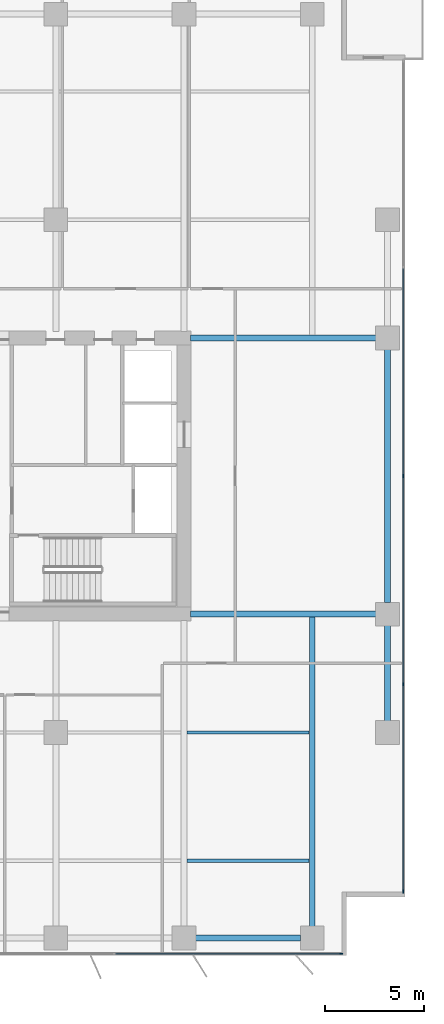
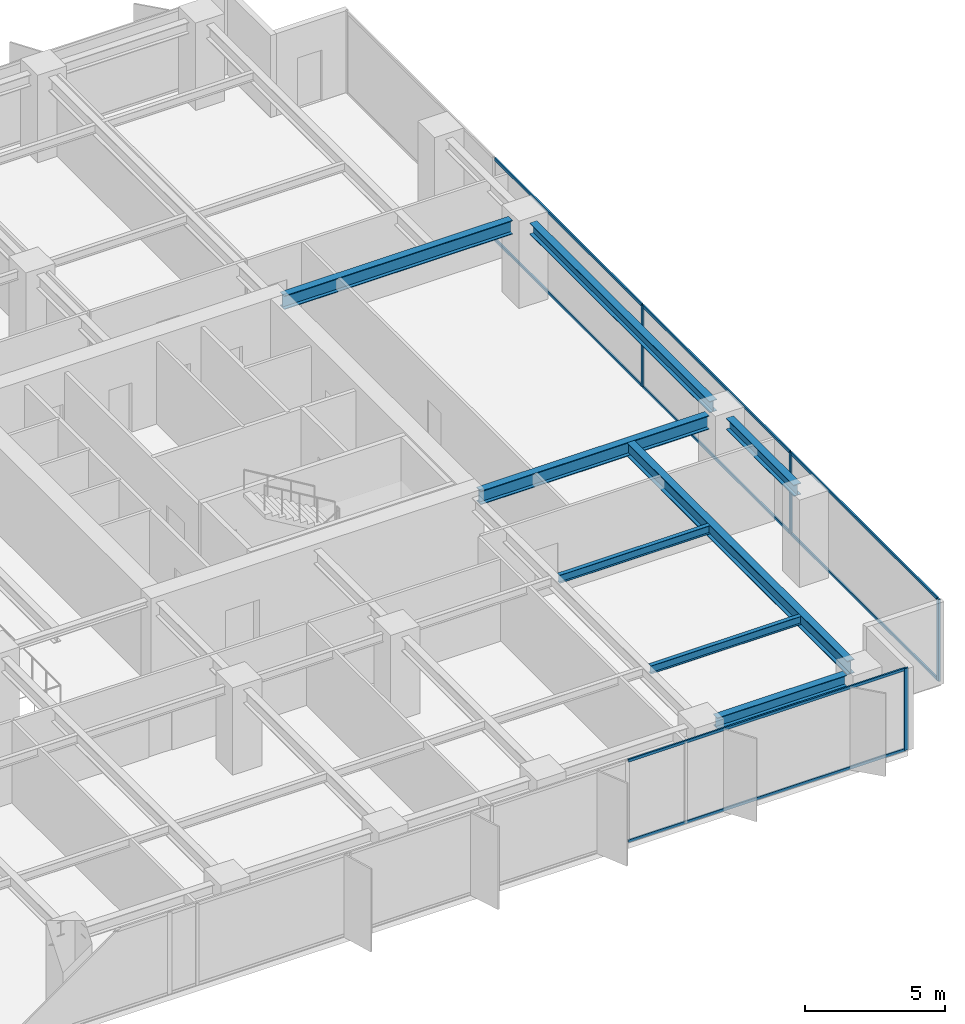
# One storey, part 10 of 20: 12 members, 8 beams, 2 elements without a shape of their own.
"""IFC4 building model written with IfcOpenShell, lengths in metres."""

from ifc_helpers import new_model, si_unit, direction, frame, origin, origin_2d, place, context, subcontext, project, spatial, rectangle, i_section, extrude, material, layer, layer_set, material_profile, profile_set, type_object, element, aggregate, save


model = new_model("IFC4")

# Units and contexts
model_context = context("Model", 3, precision=1e-05, world=origin(), true_north=direction((0.0, 1.0)))
body_context = subcontext(model_context, "Body", "Model", "MODEL_VIEW")
ifc_project = project(units=[si_unit("LENGTHUNIT", "METRE"), si_unit("AREAUNIT", "SQUARE_METRE"), si_unit("VOLUMEUNIT", "CUBIC_METRE"), si_unit("PLANEANGLEUNIT", "RADIAN"), si_unit("MASSUNIT", "GRAM", prefix="KILO")], contexts=[model_context])

# Site, building, storey
site_placement = place(None, origin())
site = spatial("IfcSite", under=ifc_project, at=site_placement, CompositionType="ELEMENT")
building_placement = place(site_placement, origin())
building = spatial("IfcBuilding", under=site, at=building_placement, Name="Putna Gate Headquarters", CompositionType="ELEMENT")
storey_placement = place(building_placement, frame((0.0, 0.0, 124.0)))
storey = spatial("IfcBuildingStorey", under=building, at=storey_placement, Name="L30", CompositionType="ELEMENT", Elevation=124.0)

# Beams
ifc_material_1 = material(Name="Steel S355J2", Category="steel")
ifc_material_profile_1 = material_profile(ifc_material_1, i_section(OverallWidth=0.300048828125, OverallDepth=0.60009765625, WebThickness=0.015380859375, FlangeThickness=0.030029296875, at=origin_2d()), Name="Steel S355J2")
ifc_profile_set_1 = profile_set([ifc_material_profile_1], Name="Steel S355J2")
beam_type_1 = type_object("IfcBeamType", Name="BM-GIRD-Z2-HEB600", PredefinedType="USERDEFINED", material=ifc_profile_set_1)
for number, where, z_axis, x_axis, name in (
    (1, (65.3349609375, 19.0, 3.264892578125), (1.0, 0.0, 0.0), (0.0, 1.0, 0.0), "L30 East Wing Girder Y19"),
    (2, (65.3349609375, 33.0, 3.264892578125), (1.0, 0.0, 0.0), (0.0, 1.0, 0.0), "L30 East Wing Girder Y33"),
):
    element("IfcBeam", number, at=place(storey_placement, frame(where, z_axis=z_axis, x_axis=x_axis)), inside=storey, type_object=beam_type_1, Name=name, ObjectType="GIRDER", PredefinedType="USERDEFINED", context=body_context, shape_type="SweptSolid", body=[
        extrude(i_section(OverallWidth=0.300048828125, OverallDepth=0.60009765625, WebThickness=0.015380859375, FlangeThickness=0.030029296875, at=origin_2d()), origin(), (0.0, 0.0, 1.0), 9.39697265625),
    ])
beam_1_placement = place(storey_placement, frame((71.5, 3.16796875, 3.264892578125), z_axis=(0.0, 1.0, 0.0), x_axis=(-1.0, 0.0, 0.0)))
element("IfcBeam", 3, at=beam_1_placement, inside=storey, type_object=beam_type_1, Name="L30 South Primary Girder X71", ObjectType="GIRDER", PredefinedType="USERDEFINED", context=body_context, shape_type="SweptSolid", body=[
    extrude(i_section(OverallWidth=0.300048828125, OverallDepth=0.60009765625, WebThickness=0.015380859375, FlangeThickness=0.030029296875, at=origin_2d()), origin(), (0.0, 0.0, 1.0), 15.820068359375),
])
ifc_material_profile_2 = material_profile(ifc_material_1, i_section(OverallWidth=0.169921875, OverallDepth=0.360107421875, WebThickness=0.008056640625, FlangeThickness=0.0126953125, at=origin_2d()), Name="Steel S355J2")
ifc_profile_set_2 = profile_set([ifc_material_profile_2], Name="Steel S355J2")
beam_type_2 = type_object("IfcBeamType", Name="BM-SEC-Z2-IPE360", PredefinedType="BEAM", material=ifc_profile_set_2)
for number, where, z_axis, x_axis, name in (
    (4, (65.154052734375, 6.5, 3.385009765625), (1.0, 0.0, 0.0), (0.0, 1.0, 0.0), "L30 South Secondary Beam 10"),
    (5, (65.154052734375, 13.0, 3.385009765625), (1.0, 0.0, 0.0), (0.0, 1.0, 0.0), "L30 South Secondary Beam 10"),
):
    element("IfcBeam", number, at=place(storey_placement, frame(where, z_axis=z_axis, x_axis=x_axis)), inside=storey, type_object=beam_type_2, Name=name, PredefinedType="BEAM", context=body_context, shape_type="SweptSolid", body=[
        extrude(i_section(OverallWidth=0.169921875, OverallDepth=0.360107421875, WebThickness=0.008056640625, FlangeThickness=0.0126953125, at=origin_2d()), origin(), (0.0, 0.0, 1.0), 6.19189453125),
    ])
ifc_material_profile_3 = material_profile(ifc_material_1, i_section(OverallWidth=0.300048828125, OverallDepth=0.489990234375, WebThickness=0.011962890625, FlangeThickness=0.02294921875, at=origin_2d()), Name="Steel S355J2")
ifc_profile_set_3 = profile_set([ifc_material_profile_3], Name="Steel S355J2")
beam_type_3 = type_object("IfcBeamType", Name="BM-SPAN-Z2-HEA500", PredefinedType="SPANDREL", material=ifc_profile_set_3)
beam_2_placement = place(storey_placement, frame((65.587890625, 2.580078125, 3.320068359375), z_axis=(1.0, 0.0, 0.0), x_axis=(0.0, 1.0, 0.0)))
element("IfcBeam", 6, at=beam_2_placement, inside=storey, type_object=beam_type_3, Name="L30 S Perimeter Spandrel 10", PredefinedType="SPANDREL", context=body_context, shape_type="SweptSolid", body=[
    extrude(i_section(OverallWidth=0.300048828125, OverallDepth=0.489990234375, WebThickness=0.011962890625, FlangeThickness=0.02294921875, at=origin_2d()), origin(), (0.0, 0.0, 1.0), 5.32421875),
])
beam_3_placement = place(storey_placement, frame((75.320068359375, 13.587890625, 3.320068359375), z_axis=(0.0, 1.0, 0.0), x_axis=(-1.0, 0.0, 0.0)))
element("IfcBeam", 7, at=beam_3_placement, inside=storey, type_object=beam_type_3, Name="L30 E End Spandrel 1", PredefinedType="SPANDREL", context=body_context, shape_type="SweptSolid", body=[
    extrude(i_section(OverallWidth=0.300048828125, OverallDepth=0.489990234375, WebThickness=0.011962890625, FlangeThickness=0.02294921875, at=origin_2d()), origin(), (0.0, 0.0, 1.0), 4.82421875),
])
beam_4_placement = place(storey_placement, frame((75.320068359375, 19.587890625, 3.320068359375), z_axis=(0.0, 1.0, 0.0), x_axis=(-1.0, 0.0, 0.0)))
element("IfcBeam", 8, at=beam_4_placement, inside=storey, type_object=beam_type_3, Name="L30 E End Spandrel 2", PredefinedType="SPANDREL", context=body_context, shape_type="SweptSolid", body=[
    extrude(i_section(OverallWidth=0.300048828125, OverallDepth=0.489990234375, WebThickness=0.011962890625, FlangeThickness=0.02294921875, at=origin_2d()), origin(), (0.0, 0.0, 1.0), 12.82421875),
])

# Curtain wall, member
ifc_material_2 = material(Name="Anodised bronze aluminium curtain wall", Category="aluminium")
ifc_layer = layer(ifc_material_2, 0.159912109375)
ifc_layer_set = layer_set([ifc_layer], Name="Anodised bronze aluminium curtain wall")
curtain_wall_type = type_object("IfcCurtainWallType", Name="CW-SYS-Z2", PredefinedType="USERDEFINED", material=ifc_layer_set)
curtain_wall_1_placement = place(storey_placement, origin())
curtain_wall_1 = element("IfcCurtainWall", 9, at=curtain_wall_1_placement, inside=storey, type_object=curtain_wall_type, Name="L30 South East Curtain Wall", ObjectType="STICK CURTAIN WALL", PredefinedType="USERDEFINED")
ifc_material_3 = material(Name="Anodised bronze aluminium EN AW-6060", Category="aluminium")
ifc_material_profile_4 = material_profile(ifc_material_3, rectangle(XDim=0.06494140625, YDim=0.159912109375, at=origin_2d()), Name="Anodised bronze aluminium EN AW-6060")
ifc_profile_set_4 = profile_set([ifc_material_profile_4], Name="Anodised bronze aluminium EN AW-6060")
member_type_1 = type_object("IfcMemberType", Name="MULL-CWM-2", PredefinedType="MULLION", material=ifc_profile_set_4)
member_1_placement = place(storey_placement, frame((72.967529296875, 1.780029296875, 0.0), z_axis=(0.0, 0.0, 1.0), x_axis=(0.0, 1.0, 0.0)))
member_1 = element("IfcMember", 10, at=member_1_placement, type_object=member_type_1, Name="CWS-2 mullion 3", PredefinedType="MULLION", context=body_context, shape_type="SweptSolid", body=[
    extrude(rectangle(XDim=0.06494140625, YDim=0.159912109375, at=origin_2d()), origin(), (0.0, 0.0, 1.0), 3.56494140625),
])

# Curtain wall, members
curtain_wall_2_placement = place(storey_placement, origin())
curtain_wall_2 = element("IfcCurtainWall", 11, at=curtain_wall_2_placement, inside=storey, type_object=curtain_wall_type, Name="L30 East Curtain Wall", ObjectType="STICK CURTAIN WALL", PredefinedType="USERDEFINED")
member_2_placement = place(storey_placement, frame((76.1201171875, 4.9326171875, 0.0), z_axis=(0.0, 0.0, 1.0), x_axis=(-1.0, 0.0, 0.0)))
member_2 = element("IfcMember", 12, at=member_2_placement, type_object=member_type_1, Name="CWS-2 mullion 1", PredefinedType="MULLION", context=body_context, shape_type="SweptSolid", body=[
    extrude(rectangle(XDim=0.06494140625, YDim=0.159912109375, at=origin_2d()), origin(), (0.0, 0.0, 1.0), 3.56494140625),
])
member_3_placement = place(storey_placement, frame((76.1201171875, 15.449951171875, 0.0), z_axis=(0.0, 0.0, 1.0), x_axis=(-1.0, 0.0, 0.0)))
member_3 = element("IfcMember", 13, at=member_3_placement, type_object=member_type_1, Name="CWS-2 mullion 2", PredefinedType="MULLION", context=body_context, shape_type="SweptSolid", body=[
    extrude(rectangle(XDim=0.06494140625, YDim=0.159912109375, at=origin_2d()), origin(), (0.0, 0.0, 1.0), 3.56494140625),
])
member_4_placement = place(storey_placement, frame((76.1201171875, 26.0, 0.0), z_axis=(0.0, 0.0, 1.0), x_axis=(-1.0, 0.0, 0.0)))
member_4 = element("IfcMember", 14, at=member_4_placement, type_object=member_type_1, Name="CWS-2 mullion 3", PredefinedType="MULLION", context=body_context, shape_type="SweptSolid", body=[
    extrude(rectangle(XDim=0.06494140625, YDim=0.159912109375, at=origin_2d()), origin(), (0.0, 0.0, 1.0), 3.56494140625),
])

# Member
ifc_material_profile_5 = material_profile(ifc_material_3, rectangle(XDim=0.06494140625, YDim=0.1201171875, at=origin_2d()), Name="Anodised bronze aluminium EN AW-6060")
ifc_profile_set_5 = profile_set([ifc_material_profile_5], Name="Anodised bronze aluminium EN AW-6060")
member_type_2 = type_object("IfcMemberType", Name="TRAN-CWT-2", PredefinedType="USERDEFINED", material=ifc_profile_set_5)
member_5_placement = place(storey_placement, frame((61.532470703125, 1.780029296875, 0.032470703125), z_axis=(1.0, 0.0, 0.0), x_axis=(0.0, 1.0, 0.0)))
member_5 = element("IfcMember", 15, at=member_5_placement, type_object=member_type_2, Name="CWS-2 transom 2.1", ObjectType="TRANSOM", PredefinedType="USERDEFINED", context=body_context, shape_type="SweptSolid", body=[
    extrude(rectangle(XDim=0.06494140625, YDim=0.1201171875, at=origin_2d()), origin(), (0.0, 0.0, 1.0), 11.402587890625),
])

member_6_placement = place(storey_placement, frame((61.532470703125, 1.780029296875, 3.532470703125), z_axis=(1.0, 0.0, 0.0), x_axis=(0.0, 1.0, 0.0)))
member_6 = element("IfcMember", 16, at=member_6_placement, type_object=member_type_2, Name="CWS-2 transom 2.2", ObjectType="TRANSOM", PredefinedType="USERDEFINED", context=body_context, shape_type="SweptSolid", body=[
    extrude(rectangle(XDim=0.06494140625, YDim=0.1201171875, at=origin_2d()), origin(), (0.0, 0.0, 1.0), 11.402587890625),
])

aggregate(curtain_wall_1, [member_1, member_5, member_6])

member_7_placement = place(storey_placement, frame((76.1201171875, 4.965087890625, 0.032470703125), z_axis=(0.0, 1.0, 0.0), x_axis=(-1.0, 0.0, 0.0)))
member_7 = element("IfcMember", 17, at=member_7_placement, type_object=member_type_2, Name="CWS-2 transom 1.1", ObjectType="TRANSOM", PredefinedType="USERDEFINED", context=body_context, shape_type="SweptSolid", body=[
    extrude(rectangle(XDim=0.06494140625, YDim=0.1201171875, at=origin_2d()), origin(), (0.0, 0.0, 1.0), 10.452392578125),
])

member_8_placement = place(storey_placement, frame((76.1201171875, 4.965087890625, 3.532470703125), z_axis=(0.0, 1.0, 0.0), x_axis=(-1.0, 0.0, 0.0)))
member_8 = element("IfcMember", 18, at=member_8_placement, type_object=member_type_2, Name="CWS-2 transom 1.2", ObjectType="TRANSOM", PredefinedType="USERDEFINED", context=body_context, shape_type="SweptSolid", body=[
    extrude(rectangle(XDim=0.06494140625, YDim=0.1201171875, at=origin_2d()), origin(), (0.0, 0.0, 1.0), 10.452392578125),
])

member_9_placement = place(storey_placement, frame((76.1201171875, 15.482421875, 0.032470703125), z_axis=(0.0, 1.0, 0.0), x_axis=(-1.0, 0.0, 0.0)))
member_9 = element("IfcMember", 19, at=member_9_placement, type_object=member_type_2, Name="CWS-2 transom 2.1", ObjectType="TRANSOM", PredefinedType="USERDEFINED", context=body_context, shape_type="SweptSolid", body=[
    extrude(rectangle(XDim=0.06494140625, YDim=0.1201171875, at=origin_2d()), origin(), (0.0, 0.0, 1.0), 10.485107421875),
])

member_10_placement = place(storey_placement, frame((76.1201171875, 15.482421875, 3.532470703125), z_axis=(0.0, 1.0, 0.0), x_axis=(-1.0, 0.0, 0.0)))
member_10 = element("IfcMember", 20, at=member_10_placement, type_object=member_type_2, Name="CWS-2 transom 2.2", ObjectType="TRANSOM", PredefinedType="USERDEFINED", context=body_context, shape_type="SweptSolid", body=[
    extrude(rectangle(XDim=0.06494140625, YDim=0.1201171875, at=origin_2d()), origin(), (0.0, 0.0, 1.0), 10.485107421875),
])

member_11_placement = place(storey_placement, frame((76.1201171875, 26.032470703125, 0.032470703125), z_axis=(0.0, 1.0, 0.0), x_axis=(-1.0, 0.0, 0.0)))
member_11 = element("IfcMember", 21, at=member_11_placement, type_object=member_type_2, Name="CWS-2 transom 3.1", ObjectType="TRANSOM", PredefinedType="USERDEFINED", context=body_context, shape_type="SweptSolid", body=[
    extrude(rectangle(XDim=0.06494140625, YDim=0.1201171875, at=origin_2d()), origin(), (0.0, 0.0, 1.0), 10.485107421875),
])

member_12_placement = place(storey_placement, frame((76.1201171875, 26.032470703125, 3.532470703125), z_axis=(0.0, 1.0, 0.0), x_axis=(-1.0, 0.0, 0.0)))
member_12 = element("IfcMember", 22, at=member_12_placement, type_object=member_type_2, Name="CWS-2 transom 3.2", ObjectType="TRANSOM", PredefinedType="USERDEFINED", context=body_context, shape_type="SweptSolid", body=[
    extrude(rectangle(XDim=0.06494140625, YDim=0.1201171875, at=origin_2d()), origin(), (0.0, 0.0, 1.0), 10.485107421875),
])

aggregate(curtain_wall_2, [member_2, member_3, member_4, member_7, member_8, member_9, member_10, member_11, member_12])

save(model, "model.ifc")
